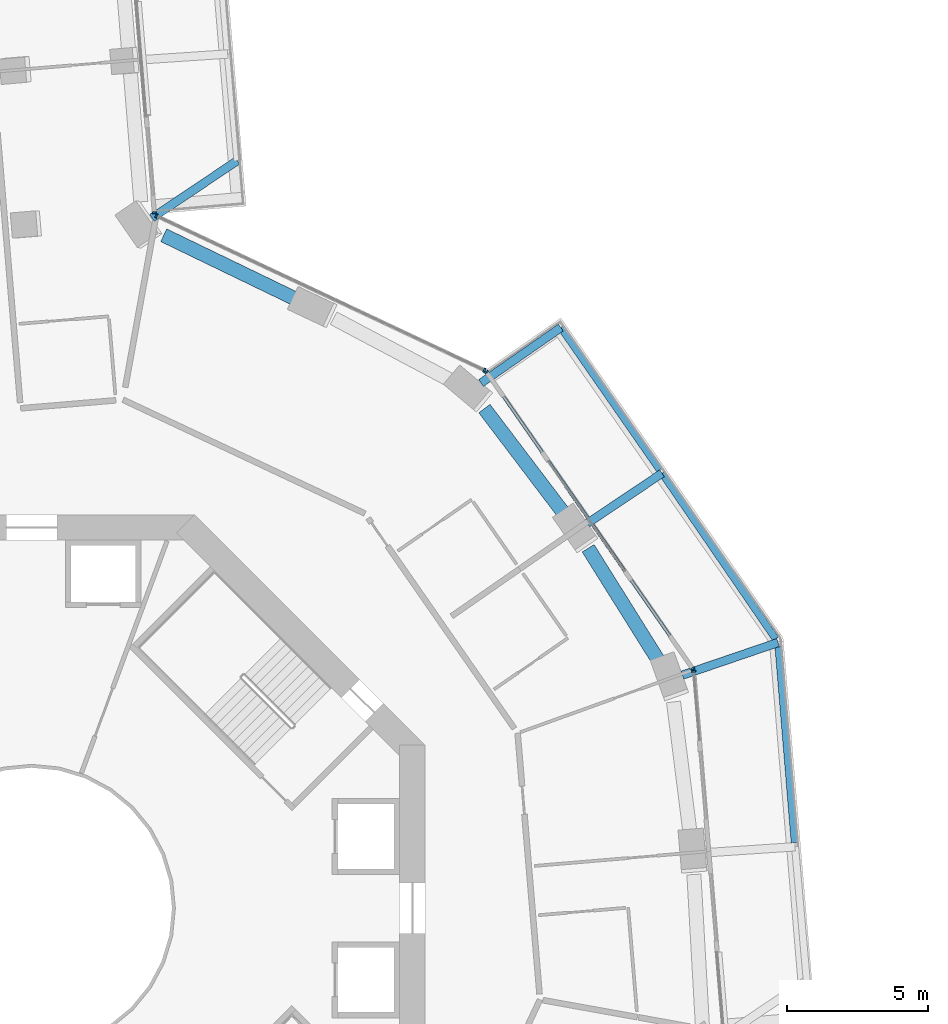
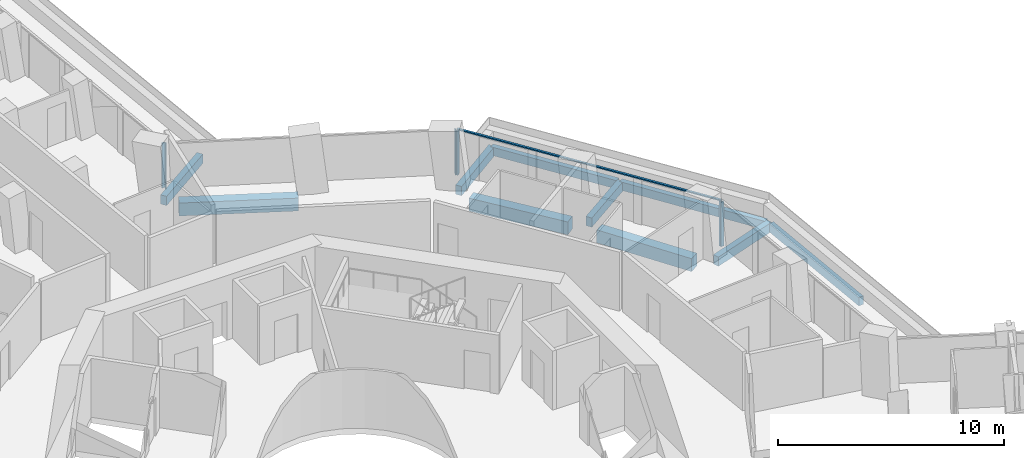
# One storey, part 9 of 26: 10 beams, 7 members, 4 elements without a shape of their own.
"""IFC4 building model written with IfcOpenShell, lengths in metres."""

from ifc_helpers import new_model, si_unit, direction, frame, origin, origin_2d, place, context, subcontext, project, spatial, rectangle, extrude, material, layer, layer_set, material_profile, profile_set, type_object, element, aggregate, save


model = new_model("IFC4")

# Units and contexts
model_context = context("Model", 3, precision=1e-05, world=origin(), true_north=direction((0.0, 1.0)))
body_context = subcontext(model_context, "Body", "Model", "MODEL_VIEW")
ifc_project = project(units=[si_unit("LENGTHUNIT", "METRE"), si_unit("AREAUNIT", "SQUARE_METRE"), si_unit("VOLUMEUNIT", "CUBIC_METRE"), si_unit("PLANEANGLEUNIT", "RADIAN"), si_unit("MASSUNIT", "GRAM", prefix="KILO")], contexts=[model_context])

# Site, building, storey
site_placement = place(None, origin())
site = spatial("IfcSite", under=ifc_project, at=site_placement, CompositionType="ELEMENT")
building_placement = place(site_placement, origin())
building = spatial("IfcBuilding", under=site, at=building_placement, Name="Verdalira Terraces Hotel", CompositionType="ELEMENT")
storey_placement = place(building_placement, frame((0.0, 0.0, 53.0)))
storey = spatial("IfcBuildingStorey", under=building, at=storey_placement, Name="L11", CompositionType="ELEMENT", Elevation=53.0)

# Beams
ifc_material_1 = material(Name="Concrete C40", Category="concrete")
ifc_material_profile_1 = material_profile(ifc_material_1, rectangle(XDim=0.300049, YDim=0.5, at=origin_2d()), Name="RC 300X500")
ifc_profile_set_1 = profile_set([ifc_material_profile_1], Name="Concrete C40")
beam_type_1 = type_object("IfcBeamType", Name="Balcony cantilever beam RC 300X500 C40", PredefinedType="BEAM", material=ifc_profile_set_1)
beam_1_placement = place(storey_placement, frame((4.288086, 24.566406, -0.560059), z_axis=(0.830598864, 0.556871195, 0.0), x_axis=(-0.556871195, 0.830598864, 0.0)))
element("IfcBeam", 1, at=beam_1_placement, inside=storey, type_object=beam_type_1, Name="Balcony cantilever beam R00-1", PredefinedType="BEAM", context=body_context, shape_type="SweptSolid", body=[
    extrude(rectangle(XDim=0.300049, YDim=0.5, at=origin_2d()), origin(), (0.0, 0.0, 1.0), 3.656006),
])
beam_2_placement = place(storey_placement, frame((23.161133, 8.29248, -0.560059), z_axis=(0.946427263, 0.322917074, 0.0), x_axis=(-0.322917074, 0.946427263, 0.0)))
element("IfcBeam", 2, at=beam_2_placement, inside=storey, type_object=beam_type_1, Name="Balcony cantilever beam R39-3", PredefinedType="BEAM", context=body_context, shape_type="SweptSolid", body=[
    extrude(rectangle(XDim=0.300049, YDim=0.5, at=origin_2d()), origin(), (0.0, 0.0, 1.0), 3.598145),
])
beam_3_placement = place(storey_placement, frame((19.779541, 13.695312, -0.560059), z_axis=(0.830580519, 0.556898555, 0.0), x_axis=(-0.556898555, 0.830580519, 0.0)))
element("IfcBeam", 3, at=beam_3_placement, inside=storey, type_object=beam_type_1, Name="Balcony cantilever beam R39-4", PredefinedType="BEAM", context=body_context, shape_type="SweptSolid", body=[
    extrude(rectangle(XDim=0.300049, YDim=0.5, at=origin_2d()), origin(), (0.0, 0.0, 1.0), 3.200684),
])
beam_4_placement = place(storey_placement, frame((15.996582, 18.687988, -0.560059), z_axis=(0.821138305, 0.570729256, 0.0), x_axis=(-0.570729256, 0.821138305, 0.0)))
element("IfcBeam", 4, at=beam_4_placement, inside=storey, type_object=beam_type_1, Name="Balcony cantilever beam R39-5", PredefinedType="BEAM", context=body_context, shape_type="SweptSolid", body=[
    extrude(rectangle(XDim=0.300049, YDim=0.5, at=origin_2d()), origin(), (0.0, 0.0, 1.0), 3.457275),
])
ifc_material_2 = material(Name="Concrete C40", Category="concrete")
ifc_material_profile_2 = material_profile(ifc_material_2, rectangle(XDim=0.25, YDim=0.449951, at=origin_2d()), Name="RC 250X450")
ifc_profile_set_2 = profile_set([ifc_material_profile_2], Name="Concrete C40")
beam_type_2 = type_object("IfcBeamType", Name="Balcony edge beam RC 250X450 C40", PredefinedType="BEAM", material=ifc_profile_set_2)
beam_5_placement = place(storey_placement, frame((27.158447, 2.334717, -0.534912), z_axis=(-0.082886492, 0.996558994, 0.0), x_axis=(-0.996558994, -0.082886492, 0.0)))
element("IfcBeam", 5, at=beam_5_placement, inside=storey, type_object=beam_type_2, Name="Balcony edge beam R39-2", PredefinedType="BEAM", context=body_context, shape_type="SweptSolid", body=[
    extrude(rectangle(XDim=0.25, YDim=0.449951, at=origin_2d()), origin(), (0.0, 0.0, 1.0), 6.989746),
])
beam_6_placement = place(storey_placement, frame((26.478271, 9.582764, -0.534912), z_axis=(-0.565336479, 0.824860392, 0.0), x_axis=(-0.824860392, -0.565336479, 0.0)))
element("IfcBeam", 6, at=beam_6_placement, inside=storey, type_object=beam_type_2, Name="Balcony edge beam R39-3", PredefinedType="BEAM", context=body_context, shape_type="SweptSolid", body=[
    extrude(rectangle(XDim=0.25, YDim=0.449951, at=origin_2d()), origin(), (0.0, 0.0, 1.0), 7.146729),
])
beam_7_placement = place(storey_placement, frame((22.352539, 15.60083, -0.534912), z_axis=(-0.570723177, 0.82114253, 0.0), x_axis=(-0.82114253, -0.570723177, 0.0)))
element("IfcBeam", 7, at=beam_7_placement, inside=storey, type_object=beam_type_2, Name="Balcony edge beam R39-4", PredefinedType="BEAM", context=body_context, shape_type="SweptSolid", body=[
    extrude(rectangle(XDim=0.25, YDim=0.449951, at=origin_2d()), origin(), (0.0, 0.0, 1.0), 6.162598),
])

# Curtain wall, member
ifc_material_3 = material(Name="Clear glass", Category="glass")
ifc_layer_1 = layer(ifc_material_3, 0.14990234375)
ifc_layer_set_1 = layer_set([ifc_layer_1], Name="CW1 curtain wall")
curtain_wall_type_1 = type_object("IfcCurtainWallType", Name="CW1 curtain wall", PredefinedType="NOTDEFINED", material=ifc_layer_set_1)
curtain_wall_1_placement = place(storey_placement, origin())
curtain_wall_1 = element("IfcCurtainWall", 8, at=curtain_wall_1_placement, inside=storey, type_object=curtain_wall_type_1, Name="CW1 curtain wall L11 edge 39", PredefinedType="NOTDEFINED")
ifc_material_4 = material(Name="Terracotta frame", Category="masonry")
ifc_material_profile_3 = material_profile(ifc_material_4, rectangle(XDim=0.060059, YDim=0.149902, at=origin_2d()), Name="MU 60x150")
ifc_profile_set_3 = profile_set([ifc_material_profile_3], Name="Terracotta frame")
member_type_1 = type_object("IfcMemberType", Name="CW1 mullion 60x150", PredefinedType="MULLION", material=ifc_profile_set_3)
member_1_placement = place(storey_placement, frame((23.560547, 8.430908, 0.0), z_axis=(0.0, 0.0, 1.0), x_axis=(-0.083677843, 0.996492859, 0.0)))
member_1 = element("IfcMember", 9, at=member_1_placement, type_object=member_type_1, Name="CW1 mullion", PredefinedType="MULLION", context=body_context, shape_type="SweptSolid", body=[
    extrude(rectangle(XDim=0.060059, YDim=0.149902, at=origin_2d()), origin(), (0.0, 0.0, 1.0), 2.425049),
])
aggregate(curtain_wall_1, [member_1])

# Curtain wall, members
curtain_wall_2_placement = place(storey_placement, origin())
curtain_wall_2 = element("IfcCurtainWall", 10, at=curtain_wall_2_placement, inside=storey, type_object=curtain_wall_type_1, Name="CW1 curtain wall L11 edge 40", PredefinedType="NOTDEFINED")
member_2_placement = place(storey_placement, frame((23.527588, 8.521973, 0.0), z_axis=(0.0, 0.0, 1.0), x_axis=(-0.570713568, 0.821149209, 0.0)))
member_2 = element("IfcMember", 11, at=member_2_placement, type_object=member_type_1, Name="CW1 mullion", PredefinedType="MULLION", context=body_context, shape_type="SweptSolid", body=[
    extrude(rectangle(XDim=0.060059, YDim=0.149902, at=origin_2d()), origin(), (0.0, 0.0, 1.0), 2.425049),
])
member_3_placement = place(storey_placement, frame((16.188477, 19.081543, 0.0), z_axis=(0.0, 0.0, 1.0), x_axis=(-0.570713568, 0.821149209, 0.0)))
member_3 = element("IfcMember", 12, at=member_3_placement, type_object=member_type_1, Name="CW1 mullion", PredefinedType="MULLION", context=body_context, shape_type="SweptSolid", body=[
    extrude(rectangle(XDim=0.060059, YDim=0.149902, at=origin_2d()), origin(), (0.0, 0.0, 1.0), 2.425049),
])

curtain_wall_3_placement = place(storey_placement, origin())
curtain_wall_3 = element("IfcCurtainWall", 13, at=curtain_wall_3_placement, inside=storey, type_object=curtain_wall_type_1, Name="CW1 curtain wall L11 edge 41", PredefinedType="NOTDEFINED")
member_4_placement = place(storey_placement, frame((16.114746, 19.144043, 0.0), z_axis=(0.0, 0.0, 1.0), x_axis=(-0.904827052, 0.425779292, 0.0)))
member_4 = element("IfcMember", 14, at=member_4_placement, type_object=member_type_1, Name="CW1 mullion", PredefinedType="MULLION", context=body_context, shape_type="SweptSolid", body=[
    extrude(rectangle(XDim=0.060059, YDim=0.149902, at=origin_2d()), origin(), (0.0, 0.0, 1.0), 2.425049),
])
member_5_placement = place(storey_placement, frame((4.442627, 24.636475, 0.0), z_axis=(0.0, 0.0, 1.0), x_axis=(-0.904827052, 0.425779292, 0.0)))
member_5 = element("IfcMember", 15, at=member_5_placement, type_object=member_type_1, Name="CW1 mullion", PredefinedType="MULLION", context=body_context, shape_type="SweptSolid", body=[
    extrude(rectangle(XDim=0.060059, YDim=0.149902, at=origin_2d()), origin(), (0.0, 0.0, 1.0), 2.425049),
])
aggregate(curtain_wall_3, [member_4, member_5])

# Member
ifc_material_5 = material(Name="Terracotta frame", Category="masonry")
ifc_material_profile_4 = material_profile(ifc_material_5, rectangle(XDim=0.110107, YDim=0.064941, at=origin_2d()), Name="TR 65x110")
ifc_profile_set_4 = profile_set([ifc_material_profile_4], Name="Terracotta frame")
member_type_2 = type_object("IfcMemberType", Name="CW1 transom 65x110", PredefinedType="USERDEFINED", material=ifc_profile_set_4)
member_6_placement = place(storey_placement, frame((23.544922, 8.497314, 2.45752), z_axis=(-0.570722273, 0.821143158, 0.0), x_axis=(-0.821143158, -0.570722273, 0.0)))
member_6 = element("IfcMember", 16, at=member_6_placement, type_object=member_type_2, Name="CW1 transom", ObjectType="TRANSOM", PredefinedType="USERDEFINED", context=body_context, shape_type="SweptSolid", body=[
    extrude(rectangle(XDim=0.110107, YDim=0.064941, at=origin_2d()), origin(), (0.0, 0.0, 1.0), 12.919678),
])

aggregate(curtain_wall_2, [member_2, member_3, member_6])

# Curtain wall, member
ifc_material_6 = material(Name="Clear glass", Category="glass")
ifc_layer_2 = layer(ifc_material_6, 0.14990234375)
ifc_layer_set_2 = layer_set([ifc_layer_2], Name="CW2 curtain wall")
curtain_wall_type_2 = type_object("IfcCurtainWallType", Name="CW2 curtain wall", PredefinedType="NOTDEFINED", material=ifc_layer_set_2)
curtain_wall_4_placement = place(storey_placement, origin())
curtain_wall_4 = element("IfcCurtainWall", 17, at=curtain_wall_4_placement, inside=storey, type_object=curtain_wall_type_2, Name="CW2 curtain wall L11 edge 0", PredefinedType="NOTDEFINED")
ifc_material_7 = material(Name="Terracotta frame", Category="masonry")
ifc_material_profile_5 = material_profile(ifc_material_7, rectangle(XDim=0.070068, YDim=0.149902, at=origin_2d()), Name="MU 70x150")
ifc_profile_set_5 = profile_set([ifc_material_profile_5], Name="Terracotta frame")
member_type_3 = type_object("IfcMemberType", Name="CW2 mullion 70x150", PredefinedType="MULLION", material=ifc_profile_set_5)
member_7_placement = place(storey_placement, frame((4.369629, 24.74585, 0.0), z_axis=(0.0, 0.0, 1.0), x_axis=(-0.083677843, 0.996492859, 0.0)))
member_7 = element("IfcMember", 18, at=member_7_placement, type_object=member_type_3, Name="CW2 mullion", PredefinedType="MULLION", context=body_context, shape_type="SweptSolid", body=[
    extrude(rectangle(XDim=0.070068, YDim=0.149902, at=origin_2d()), origin(), (0.0, 0.0, 1.0), 2.425049),
])
aggregate(curtain_wall_4, [member_7])

# Beams
ifc_material_8 = material(Name="Concrete C70", Category="concrete")
ifc_material_profile_6 = material_profile(ifc_material_8, rectangle(XDim=0.5, YDim=0.699951, at=origin_2d()), Name="RC 500X700")
ifc_profile_set_6 = profile_set([ifc_material_profile_6], Name="Concrete C70")
beam_type_3 = type_object("IfcBeamType", Name="Spandrel beam RC 500X700 C70", PredefinedType="SPANDREL", material=ifc_profile_set_6)
beam_8_placement = place(storey_placement, frame((22.33252, 8.773682, -0.659912), z_axis=(-0.530713514, 0.847551277, 0.0), x_axis=(-0.847551277, -0.530713514, 0.0)))
element("IfcBeam", 19, at=beam_8_placement, inside=storey, type_object=beam_type_3, Name="Spandrel beam B32", PredefinedType="SPANDREL", context=body_context, shape_type="SweptSolid", body=[
    extrude(rectangle(XDim=0.5, YDim=0.699951, at=origin_2d()), origin(), (0.0, 0.0, 1.0), 4.759033),
])
beam_9_placement = place(storey_placement, frame((18.989746, 13.989502, -0.659912), z_axis=(-0.604352772, 0.796716842, 0.0), x_axis=(-0.796716842, -0.604352772, 0.0)))
element("IfcBeam", 20, at=beam_9_placement, inside=storey, type_object=beam_type_3, Name="Spandrel beam B33", PredefinedType="SPANDREL", context=body_context, shape_type="SweptSolid", body=[
    extrude(rectangle(XDim=0.5, YDim=0.699951, at=origin_2d()), origin(), (0.0, 0.0, 1.0), 4.755615),
])
beam_10_placement = place(storey_placement, frame((9.486328, 21.63501, -0.659912), z_axis=(-0.900321941, 0.435224542, 0.0), x_axis=(-0.435224542, -0.900321941, 0.0)))
element("IfcBeam", 21, at=beam_10_placement, inside=storey, type_object=beam_type_3, Name="Spandrel beam B35", PredefinedType="SPANDREL", context=body_context, shape_type="SweptSolid", body=[
    extrude(rectangle(XDim=0.5, YDim=0.699951, at=origin_2d()), origin(), (0.0, 0.0, 1.0), 5.312256),
])

save(model, "model.ifc")
